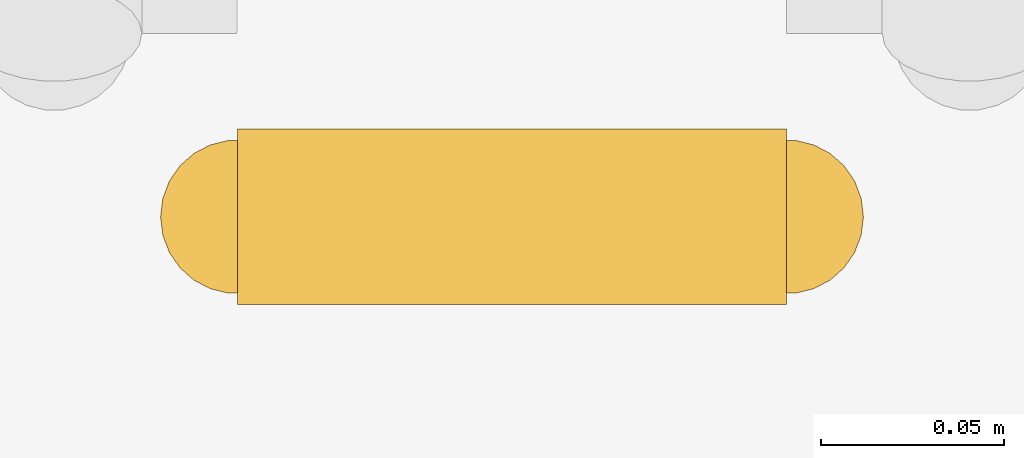
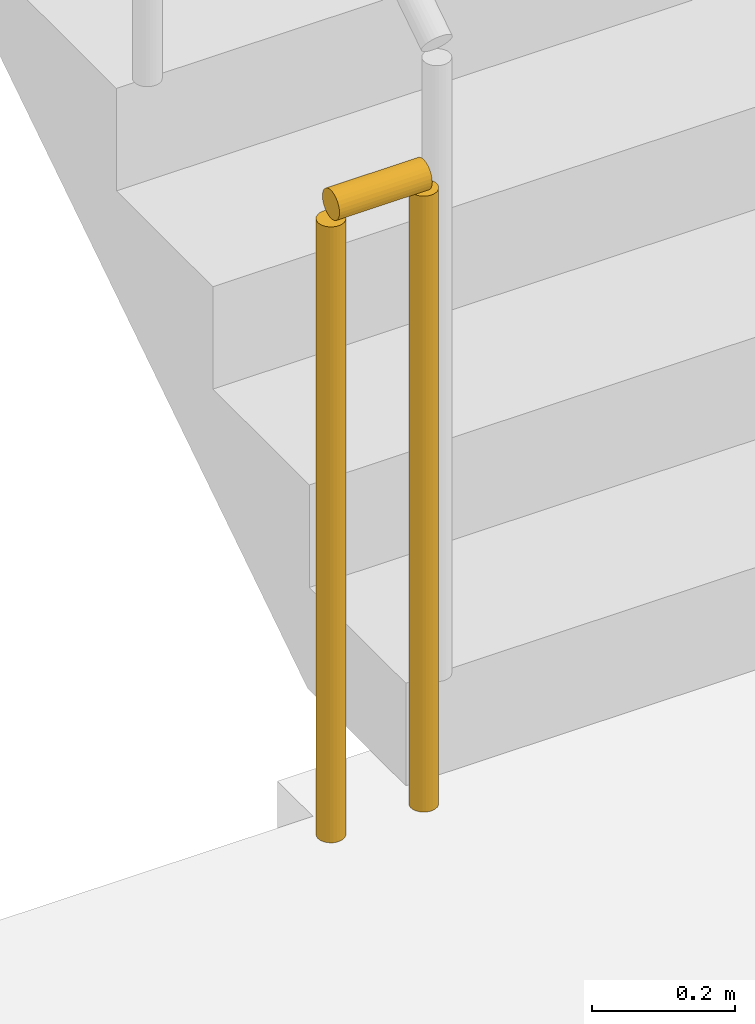
# One storey, part 15 of 20: 1 railing.
"""IFC4 building model written with IfcOpenShell, lengths in metres."""

import ifcopenshell
import ifcopenshell.guid

model = None  # the IFC model being written
_history = None  # IfcOwnerHistory: only IFC2X3 demands one
_inside = {}  # id of a spatial element -> (the spatial element, [elements in it])
_under = {}  # id of a project, library or spatial element -> (it, [spatial elements below it])
_declared = {}  # id of a project -> (the project, [libraries it declares])
_typed = {}  # id of a type object -> (the type object, [elements of that type])
_made_of = {}  # id of a material, layer set ... -> (it, [elements and type objects made of it])


def new_model(schema):
    """Start an empty IFC model of exactly this schema.

    Asked for "IFC4X3", IfcOpenShell would pick the latest addendum, in which some entities
    have other attributes; the version numbers below select the first issue.
    IFC2X3 requires an IfcOwnerHistory on every rooted entity: one is made here for all.
    """
    global model, _history
    if schema == "IFC4X3":
        model = ifcopenshell.file(schema_version=(4, 3, 0, 0))
    else:
        model = ifcopenshell.file(schema=schema)
    _inside.clear()
    _under.clear()
    _declared.clear()
    _typed.clear()
    _made_of.clear()
    _history = None
    if model.schema == "IFC2X3":
        org = make("IfcOrganization", Name="unknown")
        user = make(
            "IfcPersonAndOrganization",
            ThePerson=make("IfcPerson", FamilyName="unknown"),
            TheOrganization=org,
        )
        app = make(
            "IfcApplication",
            ApplicationDeveloper=org,
            Version="unknown",
            ApplicationFullName="unknown",
            ApplicationIdentifier="unknown",
        )
        _history = make(
            "IfcOwnerHistory",
            OwningUser=user,
            OwningApplication=app,
            ChangeAction="ADDED",
            CreationDate=0,
        )
    return model


def make(cls, **values):
    """One entity of the class cls with the attributes given. An attribute that is None is left unset."""
    return model.create_entity(
        cls, **{name: value for name, value in values.items() if value is not None}
    )


def rooted(cls, **values):
    """An entity with a GlobalId (a new one), such as an element, a storey or a relation."""
    return make(cls, GlobalId=ifcopenshell.guid.new(), OwnerHistory=_history, **values)


def si_unit(unit_type, name, prefix=None):
    """IfcSIUnit, for example si_unit("LENGTHUNIT", "METRE", prefix="MILLI")."""
    return make("IfcSIUnit", UnitType=unit_type, Prefix=prefix, Name=name)


def assignment(units):
    """IfcUnitAssignment: the units of a project."""
    return None if units is None else make("IfcUnitAssignment", Units=units)


def point(xyz):
    """IfcCartesianPoint."""
    return None if xyz is None else make("IfcCartesianPoint", Coordinates=xyz)


def direction(xyz):
    """IfcDirection."""
    return None if xyz is None else make("IfcDirection", DirectionRatios=xyz)


def frame(location, z_axis=None, x_axis=None):
    """IfcAxis2Placement3D, a coordinate frame: its origin and axes. An axis left out is left unset."""
    return make(
        "IfcAxis2Placement3D",
        Location=point(location),
        Axis=direction(z_axis),
        RefDirection=direction(x_axis),
    )


def frame_2d(location, x_axis=None):
    """IfcAxis2Placement2D, a coordinate frame in the plane: its origin and x axis."""
    return make(
        "IfcAxis2Placement2D", Location=point(location), RefDirection=direction(x_axis)
    )


def origin():
    """The frame at (0, 0, 0) with its axes left unset."""
    return frame((0.0, 0.0, 0.0))


def origin_2d():
    """The frame at (0, 0) in the plane with its x axis left unset."""
    return frame_2d((0.0, 0.0))


def place(relative_to, where):
    """IfcLocalPlacement: puts the frame where relative to a parent placement (None: the world)."""
    return make(
        "IfcLocalPlacement", PlacementRelTo=relative_to, RelativePlacement=where
    )


def context(
    kind, dimensions, precision=None, world=None, true_north=None, identifier=None
):
    """IfcGeometricRepresentationContext, for example the 3D "Model" context."""
    return make(
        "IfcGeometricRepresentationContext",
        ContextIdentifier=identifier,
        ContextType=kind,
        CoordinateSpaceDimension=dimensions,
        Precision=precision,
        WorldCoordinateSystem=world,
        TrueNorth=true_north,
    )


def subcontext(parent, identifier, kind, view, scale=None):
    """IfcGeometricRepresentationSubContext, for example "Body" below "Model"."""
    return make(
        "IfcGeometricRepresentationSubContext",
        ContextIdentifier=identifier,
        ContextType=kind,
        ParentContext=parent,
        TargetScale=scale,
        TargetView=view,
    )


def project(units=None, contexts=None):
    """IfcProject with its units and contexts."""
    return rooted(
        "IfcProject",
        Name="project",
        RepresentationContexts=contexts,
        UnitsInContext=assignment(units),
    )


def spatial(cls, under=None, at=None, **own):
    """A site, building, storey or space (cls), placed at a placement, below another one or the project."""
    s = rooted(cls, ObjectPlacement=at, **own)
    if under is not None:
        _under.setdefault(under.id(), (under, []))[1].append(s)
    return s


def profile(cls, at=None, kind="AREA", **sizes):
    """A parametric profile (cls). Its sizes go by their IFC names, for example OverallWidth=200.0."""
    return make(cls, ProfileType=kind, Position=at, **sizes)


def circle(**sizes):
    """IfcCircleProfileDef."""
    return profile("IfcCircleProfileDef", **sizes)


def extrude(swept, where, along, depth):
    """IfcExtrudedAreaSolid: the profile swept, set in the frame where, extruded along a direction by depth."""
    return make(
        "IfcExtrudedAreaSolid",
        SweptArea=swept,
        Position=where,
        ExtrudedDirection=direction(along),
        Depth=depth,
    )


def shape(context_of_items, identifier, shape_type, items):
    """IfcShapeRepresentation: the items that make up one representation, for example the "Body"."""
    return make(
        "IfcShapeRepresentation",
        ContextOfItems=context_of_items,
        RepresentationIdentifier=identifier,
        RepresentationType=shape_type,
        Items=items,
    )


def material(Name=None, Category=None):
    """IfcMaterial."""
    return make("IfcMaterial", Name=Name, Category=Category)


def made_of(thing, what):
    """Note that an element or type object is made of a material, layer set ...; save() writes the relation."""
    if what is not None:
        _made_of.setdefault(what.id(), (what, []))[1].append(thing)
    return thing


def type_object(cls, material=None, **own):
    """A type object (cls), such as IfcWallType, which elements share."""
    return made_of(rooted(cls, **own), material)


def element(
    cls,
    number,
    at=None,
    inside=None,
    cuts=None,
    type_object=None,
    material=None,
    context=None,
    identifier="Body",
    shape_type=None,
    held_by="IfcProductDefinitionShape",
    body=None,
    shapes=None,
    **own,
):
    """One element of the class cls, such as IfcWall. Its Tag is "e" and its number.

    at: its placement. inside: the storey or other place that contains it. cuts: it is an
    opening in that element (IfcRelVoidsElement). A single representation is given by context,
    identifier, shape_type and body (its items); several are given by shapes. held_by: the class
    of the entity that holds the representations. save() writes the other relations.
    """
    e = rooted(cls, Tag="e%d" % number, ObjectPlacement=at, **own)
    if body is not None:
        shapes = [shape(context, identifier, shape_type, body)]
    if shapes is not None:
        e.Representation = make(held_by, Representations=shapes)
    if inside is not None:
        _inside.setdefault(inside.id(), (inside, []))[1].append(e)
    if cuts is not None:
        rooted(
            "IfcRelVoidsElement", RelatingBuildingElement=cuts, RelatedOpeningElement=e
        )
    if type_object is not None:
        _typed.setdefault(type_object.id(), (type_object, []))[1].append(e)
    return made_of(e, material)


def aggregate(whole, parts):
    """IfcRelAggregates: a whole, such as a stair, and the parts it consists of."""
    return rooted("IfcRelAggregates", RelatingObject=whole, RelatedObjects=parts)


def save(model, path):
    """Write the relations noted so far, then the file.

    IfcRelAggregates (storeys below a building ...), IfcRelContainedInSpatialStructure (elements
    in a storey), IfcRelDefinesByType, IfcRelAssociatesMaterial and IfcRelDeclares: one each for
    every whole, place, type object, material and project.
    """
    for whole, parts in _under.values():
        aggregate(whole, parts)
    for where, things in _inside.values():
        rooted(
            "IfcRelContainedInSpatialStructure",
            RelatedElements=things,
            RelatingStructure=where,
        )
    for kind, things in _typed.values():
        rooted("IfcRelDefinesByType", RelatedObjects=things, RelatingType=kind)
    for what, things in _made_of.values():
        rooted("IfcRelAssociatesMaterial", RelatedObjects=things, RelatingMaterial=what)
    for by, libraries in _declared.values():
        rooted("IfcRelDeclares", RelatingContext=by, RelatedDefinitions=libraries)
    model.write(path)


model = new_model("IFC4")

# Units and contexts
model_context = context("Model", 3, precision=1e-05, world=origin(), true_north=direction((0.0, 1.0)))
body_context = subcontext(model_context, "Body", "Model", "MODEL_VIEW")
ifc_project = project(units=[si_unit("LENGTHUNIT", "METRE"), si_unit("AREAUNIT", "SQUARE_METRE"), si_unit("VOLUMEUNIT", "CUBIC_METRE"), si_unit("PLANEANGLEUNIT", "RADIAN"), si_unit("MASSUNIT", "GRAM", prefix="KILO")], contexts=[model_context])

# Site, building, storey
site_placement = place(None, origin())
site = spatial("IfcSite", under=ifc_project, at=site_placement, CompositionType="ELEMENT")
building_placement = place(site_placement, origin())
building = spatial("IfcBuilding", under=site, at=building_placement, Name="Saffron Iwan Residences", CompositionType="ELEMENT")
storey_placement = place(building_placement, frame((0.0, 0.0, 195.5)))
storey = spatial("IfcBuildingStorey", under=building, at=storey_placement, Name="L52", CompositionType="ELEMENT", Elevation=195.5)

# Railing
ifc_material = material(Name="Steel S355", Category="steel")
railing_type = type_object("IfcRailingType", Name="Stair guard 1100", PredefinedType="GUARDRAIL", material=ifc_material)
railing_placement = place(storey_placement, frame((31.25, 67.800048828125, 0.0)))
element("IfcRailing", 1, at=railing_placement, inside=storey, type_object=railing_type, Name="L52 ST-W stair guard 2", PredefinedType="GUARDRAIL", context=body_context, shape_type="SweptSolid", body=[
    extrude(circle(Radius=0.02392578125, at=origin_2d()), frame((0.0, 0.0, 1.076171875), z_axis=(-1.0, 0.0, 0.0), x_axis=(0.0, -1.0, 0.0)), (0.0, 0.0, 1.0), 0.14990234375),
    extrude(circle(Radius=0.02099609375, at=origin_2d()), origin(), (0.0, 0.0, 1.0), 1.052001953125),
    extrude(circle(Radius=0.02099609375, at=origin_2d()), frame((-0.14990234375, 0.0, 0.0)), (0.0, 0.0, 1.0), 1.052001953125),
])

save(model, "model.ifc")
